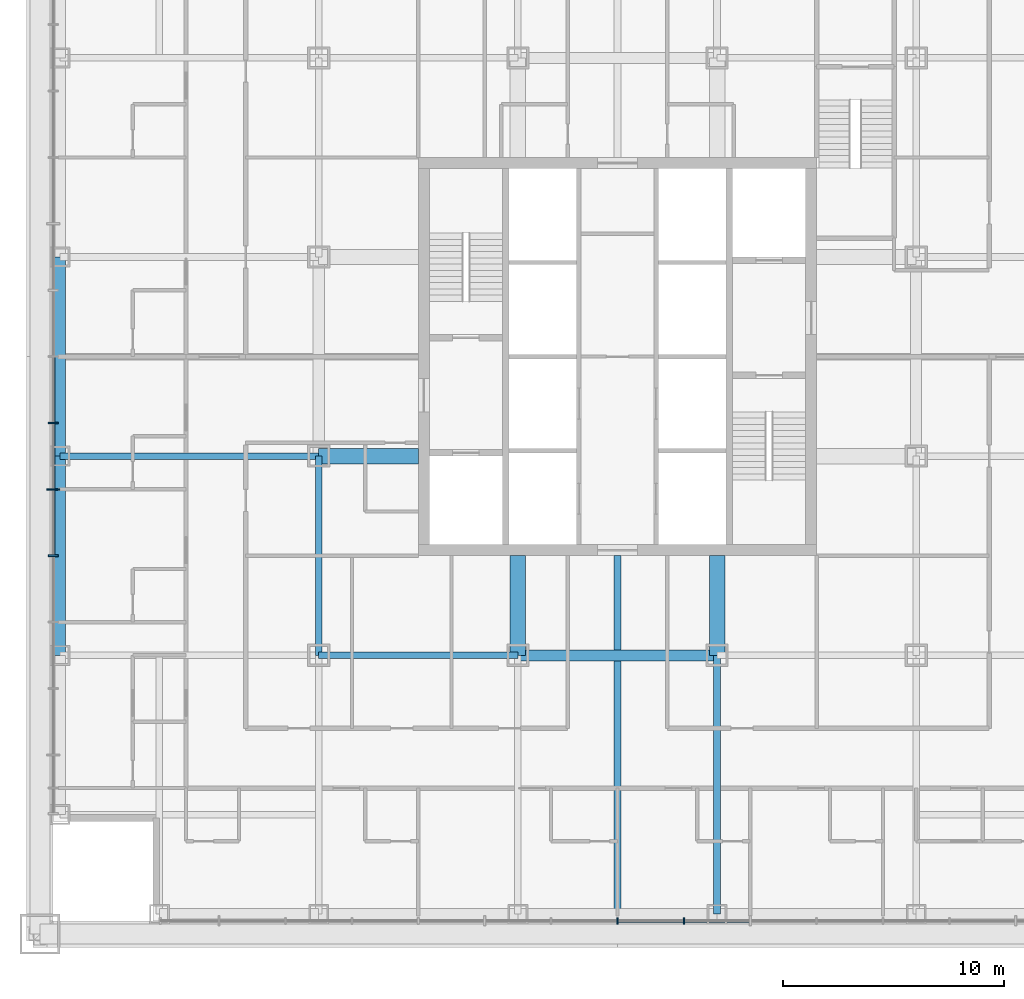
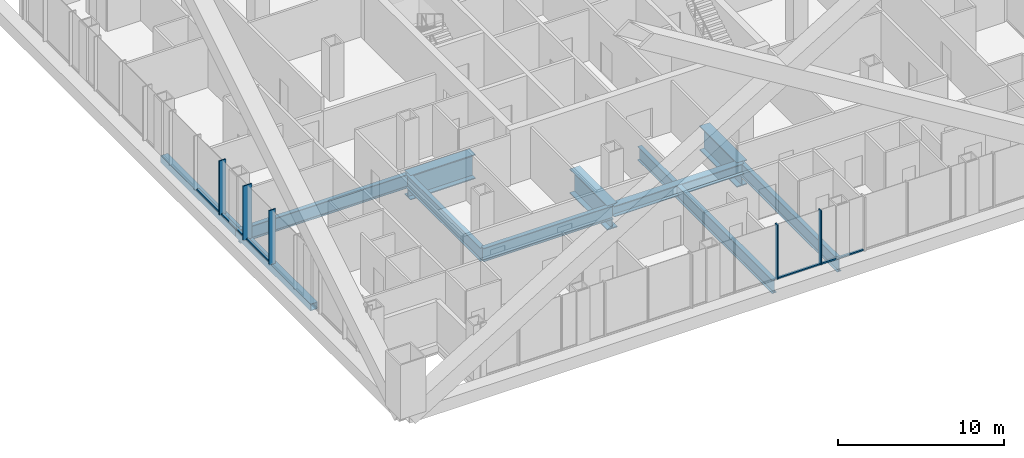
# One storey, part 4 of 21: 11 beams, 10 members, 2 elements without a shape of their own.
"""IFC4 building model written with IfcOpenShell, lengths in metres."""

from ifc_helpers import new_model, si_unit, direction, frame, origin, origin_2d, place, context, subcontext, project, spatial, rectangle, hollow_rectangle, i_section, extrude, material, layer, layer_set, material_profile, profile_set, type_object, element, aggregate, save


model = new_model("IFC4")

# Units and contexts
model_context = context("Model", 3, precision=1e-05, world=origin(), true_north=direction((0.0, 1.0)))
body_context = subcontext(model_context, "Body", "Model", "MODEL_VIEW")
ifc_project = project(units=[si_unit("LENGTHUNIT", "METRE"), si_unit("AREAUNIT", "SQUARE_METRE"), si_unit("VOLUMEUNIT", "CUBIC_METRE"), si_unit("PLANEANGLEUNIT", "RADIAN"), si_unit("MASSUNIT", "GRAM", prefix="KILO")], contexts=[model_context])

# Site, building, storey
site_placement = place(None, origin())
site = spatial("IfcSite", under=ifc_project, at=site_placement, CompositionType="ELEMENT")
building_placement = place(site_placement, origin())
building = spatial("IfcBuilding", under=site, at=building_placement, Name="Malebo Sky Hospital", CompositionType="ELEMENT")
storey_placement = place(building_placement, frame((0.0, 0.0, 31.0)))
storey = spatial("IfcBuildingStorey", under=building, at=storey_placement, Name="L06", CompositionType="ELEMENT", Elevation=31.0)

# Curtain wall, members
ifc_material_1 = material(Name="Anodised aluminium, natural silver", Category="aluminium")
ifc_layer_1 = layer(ifc_material_1, 0.25)
ifc_layer_set_1 = layer_set([ifc_layer_1], Name="WARD CURTAIN WALL EAST AND WEST")
curtain_wall_type_1 = type_object("IfcCurtainWallType", Name="WARD CURTAIN WALL EAST AND WEST", PredefinedType="NOTDEFINED", material=ifc_layer_set_1)
curtain_wall_1_placement = place(storey_placement, origin())
curtain_wall_1 = element("IfcCurtainWall", 1, at=curtain_wall_1_placement, inside=storey, type_object=curtain_wall_type_1, Name="EW curtain wall W", PredefinedType="NOTDEFINED")
ifc_material_profile_1 = material_profile(ifc_material_1, rectangle(XDim=0.14990234375, YDim=0.10009765625, at=origin_2d()), Name="ALUMINIUM TRANSOM 150x100")
ifc_profile_set_1 = profile_set([ifc_material_profile_1], Name="Anodised aluminium, natural silver")
member_type_1 = type_object("IfcMemberType", Name="ALUMINIUM TRANSOM 150x100", PredefinedType="USERDEFINED", material=ifc_profile_set_1)
member_1_placement = place(storey_placement, frame((34.5, 53.03759765625, 0.050048828125), z_axis=(0.0, 1.0, 0.0), x_axis=(-1.0, 0.0, 0.0)))
member_1 = element("IfcMember", 2, at=member_1_placement, type_object=member_type_1, Name="Transom 6", ObjectType="TRANSOM", PredefinedType="USERDEFINED", context=body_context, shape_type="SweptSolid", body=[
    extrude(rectangle(XDim=0.14990234375, YDim=0.10009765625, at=origin_2d()), origin(), (0.0, 0.0, 1.0), 2.9248046875),
])
member_2_placement = place(storey_placement, frame((34.5, 56.03759765625, 0.050048828125), z_axis=(0.0, 1.0, 0.0), x_axis=(-1.0, 0.0, 0.0)))
member_2 = element("IfcMember", 3, at=member_2_placement, type_object=member_type_1, Name="Transom 7", ObjectType="TRANSOM", PredefinedType="USERDEFINED", context=body_context, shape_type="SweptSolid", body=[
    extrude(rectangle(XDim=0.14990234375, YDim=0.10009765625, at=origin_2d()), origin(), (0.0, 0.0, 1.0), 2.9248046875),
])
member_3_placement = place(storey_placement, frame((34.5, 59.03759765625, 0.050048828125), z_axis=(0.0, 1.0, 0.0), x_axis=(-1.0, 0.0, 0.0)))
member_3 = element("IfcMember", 4, at=member_3_placement, type_object=member_type_1, Name="Transom 8", ObjectType="TRANSOM", PredefinedType="USERDEFINED", context=body_context, shape_type="SweptSolid", body=[
    extrude(rectangle(XDim=0.14990234375, YDim=0.10009765625, at=origin_2d()), origin(), (0.0, 0.0, 1.0), 2.9248046875),
])

ifc_layer_2 = layer(ifc_material_1, 0.25)
ifc_layer_set_2 = layer_set([ifc_layer_2], Name="WARD CURTAIN WALL NORTH AND SOUTH")
curtain_wall_type_2 = type_object("IfcCurtainWallType", Name="WARD CURTAIN WALL NORTH AND SOUTH", PredefinedType="NOTDEFINED", material=ifc_layer_set_2)
curtain_wall_2_placement = place(storey_placement, origin())
curtain_wall_2 = element("IfcCurtainWall", 5, at=curtain_wall_2_placement, inside=storey, type_object=curtain_wall_type_2, Name="NS curtain wall S", PredefinedType="NOTDEFINED")
member_4_placement = place(storey_placement, frame((65.96240234375, 36.5, 0.050048828125), z_axis=(-1.0, 0.0, 0.0), x_axis=(0.0, -1.0, 0.0)))
member_4 = element("IfcMember", 6, at=member_4_placement, type_object=member_type_1, Name="Transom 7", ObjectType="TRANSOM", PredefinedType="USERDEFINED", context=body_context, shape_type="SweptSolid", body=[
    extrude(rectangle(XDim=0.14990234375, YDim=0.10009765625, at=origin_2d()), origin(), (0.0, 0.0, 1.0), 2.9248046875),
])
member_5_placement = place(storey_placement, frame((62.96240234375, 36.5, 0.050048828125), z_axis=(-1.0, 0.0, 0.0), x_axis=(0.0, -1.0, 0.0)))
member_5 = element("IfcMember", 7, at=member_5_placement, type_object=member_type_1, Name="Transom 8", ObjectType="TRANSOM", PredefinedType="USERDEFINED", context=body_context, shape_type="SweptSolid", body=[
    extrude(rectangle(XDim=0.14990234375, YDim=0.10009765625, at=origin_2d()), origin(), (0.0, 0.0, 1.0), 2.9248046875),
])
ifc_material_profile_2 = material_profile(ifc_material_1, rectangle(XDim=0.074951171875, YDim=0.300048828125, at=origin_2d()), Name="CW1 ALUMINIUM FIN MULLION 75x300")
ifc_profile_set_2 = profile_set([ifc_material_profile_2], Name="Anodised aluminium, natural silver")
member_type_2 = type_object("IfcMemberType", Name="CW1 ALUMINIUM FIN MULLION 75x300", PredefinedType="MULLION", material=ifc_profile_set_2)
member_6_placement = place(storey_placement, frame((63.0, 36.5, 0.0), z_axis=(0.0, 0.0, 1.0), x_axis=(-1.0, 0.0, 0.0)))
member_6 = element("IfcMember", 8, at=member_6_placement, type_object=member_type_2, Name="Fin mullion 8", PredefinedType="MULLION", context=body_context, shape_type="SweptSolid", body=[
    extrude(rectangle(XDim=0.074951171875, YDim=0.300048828125, at=origin_2d()), origin(), (0.0, 0.0, 1.0), 4.0),
])
member_7_placement = place(storey_placement, frame((60.0, 36.5, 0.0), z_axis=(0.0, 0.0, 1.0), x_axis=(-1.0, 0.0, 0.0)))
member_7 = element("IfcMember", 9, at=member_7_placement, type_object=member_type_2, Name="Fin mullion 9", PredefinedType="MULLION", context=body_context, shape_type="SweptSolid", body=[
    extrude(rectangle(XDim=0.074951171875, YDim=0.300048828125, at=origin_2d()), origin(), (0.0, 0.0, 1.0), 4.0),
])
aggregate(curtain_wall_2, [member_6, member_7, member_4, member_5])

# Member
ifc_material_profile_3 = material_profile(ifc_material_1, rectangle(XDim=0.074951171875, YDim=0.449951171875, at=origin_2d()), Name="CW2 ALUMINIUM FIN MULLION 75x450")
ifc_profile_set_3 = profile_set([ifc_material_profile_3], Name="Anodised aluminium, natural silver")
member_type_3 = type_object("IfcMemberType", Name="CW2 ALUMINIUM FIN MULLION 75x450", PredefinedType="MULLION", material=ifc_profile_set_3)
member_8_placement = place(storey_placement, frame((34.5, 53.0, 0.0), z_axis=(0.0, 0.0, 1.0), x_axis=(0.0, 1.0, 0.0)))
member_8 = element("IfcMember", 10, at=member_8_placement, type_object=member_type_3, Name="Fin mullion 6", PredefinedType="MULLION", context=body_context, shape_type="SweptSolid", body=[
    extrude(rectangle(XDim=0.074951171875, YDim=0.449951171875, at=origin_2d()), origin(), (0.0, 0.0, 1.0), 4.0),
])

member_9_placement = place(storey_placement, frame((34.5, 59.0, 0.0), z_axis=(0.0, 0.0, 1.0), x_axis=(0.0, 1.0, 0.0)))
member_9 = element("IfcMember", 11, at=member_9_placement, type_object=member_type_3, Name="Fin mullion 8", PredefinedType="MULLION", context=body_context, shape_type="SweptSolid", body=[
    extrude(rectangle(XDim=0.074951171875, YDim=0.449951171875, at=origin_2d()), origin(), (0.0, 0.0, 1.0), 4.0),
])

ifc_material_profile_4 = material_profile(ifc_material_1, rectangle(XDim=0.074951171875, YDim=0.60009765625, at=origin_2d()), Name="CW2 ALUMINIUM FIN MULLION 75x600")
ifc_profile_set_4 = profile_set([ifc_material_profile_4], Name="Anodised aluminium, natural silver")
member_type_4 = type_object("IfcMemberType", Name="CW2 ALUMINIUM FIN MULLION 75x600", PredefinedType="MULLION", material=ifc_profile_set_4)
member_10_placement = place(storey_placement, frame((34.5, 56.0, 0.0), z_axis=(0.0, 0.0, 1.0), x_axis=(0.0, 1.0, 0.0)))
member_10 = element("IfcMember", 12, at=member_10_placement, type_object=member_type_4, Name="Fin mullion 7", PredefinedType="MULLION", context=body_context, shape_type="SweptSolid", body=[
    extrude(rectangle(XDim=0.074951171875, YDim=0.60009765625, at=origin_2d()), origin(), (0.0, 0.0, 1.0), 4.0),
])

aggregate(curtain_wall_1, [member_8, member_10, member_9, member_1, member_2, member_3])

# Beams
ifc_material_2 = material(Name="Steel S460", Category="steel")
ifc_material_profile_5 = material_profile(ifc_material_2, hollow_rectangle(XDim=0.5, YDim=0.5, WallThickness=0.030029296875, at=origin_2d()), Name="BOX 500x500x30")
ifc_profile_set_5 = profile_set([ifc_material_profile_5], Name="Steel S460")
beam_type_1 = type_object("IfcBeamType", Name="EDGE BEAM BOX 500x500x30", PredefinedType="BEAM", material=ifc_profile_set_5)
for number, where, z_axis, x_axis, name in (
    (13, (34.800048828125, 48.5, -0.5), (0.0, 1.0, 0.0), (-1.0, 0.0, 0.0), "Beam 001 L06"),
    (14, (34.800048828125, 57.5, -0.5), (0.0, 1.0, 0.0), (-1.0, 0.0, 0.0), "Beam 002 L06"),
):
    element("IfcBeam", number, at=place(storey_placement, frame(where, z_axis=z_axis, x_axis=x_axis)), inside=storey, type_object=beam_type_1, Name=name, PredefinedType="BEAM", context=body_context, shape_type="SweptSolid", body=[
        extrude(hollow_rectangle(XDim=0.5, YDim=0.5, WallThickness=0.030029296875, at=origin_2d()), origin(), (0.0, 0.0, 1.0), 9.0),
    ])
ifc_material_3 = material(Name="Steel S355", Category="steel")
ifc_material_profile_6 = material_profile(ifc_material_3, i_section(OverallWidth=0.300048828125, OverallDepth=1.0, WebThickness=0.01904296875, FlangeThickness=0.035888671875, FilletRadius=0.030029296875, at=origin_2d()), Name="HEB 1000")
ifc_profile_set_6 = profile_set([ifc_material_profile_6], Name="Steel S355")
beam_type_2 = type_object("IfcBeamType", Name="FLOOR BEAM HEB 1000", PredefinedType="BEAM", material=ifc_profile_set_6)
beam_1_placement = place(storey_placement, frame((46.5, 48.5, -0.75), z_axis=(0.0, 1.0, 0.0), x_axis=(-1.0, 0.0, 0.0)))
element("IfcBeam", 15, at=beam_1_placement, inside=storey, type_object=beam_type_2, Name="Beam 008 L06", PredefinedType="BEAM", context=body_context, shape_type="SweptSolid", body=[
    extrude(i_section(OverallWidth=0.300048828125, OverallDepth=1.0, WebThickness=0.01904296875, FlangeThickness=0.035888671875, FilletRadius=0.030029296875, at=origin_2d()), origin(), (0.0, 0.0, 1.0), 9.0),
])
beam_2_placement = place(storey_placement, frame((60.0, 36.800048828125, -0.75), z_axis=(0.0, 1.0, 0.0), x_axis=(-1.0, 0.0, 0.0)))
element("IfcBeam", 16, at=beam_2_placement, inside=storey, type_object=beam_type_2, Name="Beam 016 L06", PredefinedType="BEAM", context=body_context, shape_type="SweptSolid", body=[
    extrude(i_section(OverallWidth=0.300048828125, OverallDepth=1.0, WebThickness=0.01904296875, FlangeThickness=0.035888671875, FilletRadius=0.030029296875, at=origin_2d()), origin(), (0.0, 0.0, 1.0), 16.199951171875),
])
beam_3_placement = place(storey_placement, frame((64.5, 36.800048828125, -0.75), z_axis=(0.0, 1.0, 0.0), x_axis=(-1.0, 0.0, 0.0)))
element("IfcBeam", 17, at=beam_3_placement, inside=storey, type_object=beam_type_2, Name="Beam 018 L06", PredefinedType="BEAM", context=body_context, shape_type="SweptSolid", body=[
    extrude(i_section(OverallWidth=0.300048828125, OverallDepth=1.0, WebThickness=0.01904296875, FlangeThickness=0.035888671875, FilletRadius=0.030029296875, at=origin_2d()), origin(), (0.0, 0.0, 1.0), 11.699951171875),
])
beam_4_placement = place(storey_placement, frame((46.5, 48.5, -0.75), z_axis=(1.0, 0.0, 0.0), x_axis=(0.0, 1.0, 0.0)))
element("IfcBeam", 18, at=beam_4_placement, inside=storey, type_object=beam_type_2, Name="Beam 042 L06", PredefinedType="BEAM", context=body_context, shape_type="SweptSolid", body=[
    extrude(i_section(OverallWidth=0.300048828125, OverallDepth=1.0, WebThickness=0.01904296875, FlangeThickness=0.035888671875, FilletRadius=0.030029296875, at=origin_2d()), origin(), (0.0, 0.0, 1.0), 9.0),
])
beam_5_placement = place(storey_placement, frame((34.800048828125, 57.5, -0.75), z_axis=(1.0, 0.0, 0.0), x_axis=(0.0, 1.0, 0.0)))
element("IfcBeam", 19, at=beam_5_placement, inside=storey, type_object=beam_type_2, Name="Beam 046 L06", PredefinedType="BEAM", context=body_context, shape_type="SweptSolid", body=[
    extrude(i_section(OverallWidth=0.300048828125, OverallDepth=1.0, WebThickness=0.01904296875, FlangeThickness=0.035888671875, FilletRadius=0.030029296875, at=origin_2d()), origin(), (0.0, 0.0, 1.0), 11.699951171875),
])
ifc_material_profile_7 = material_profile(ifc_material_3, i_section(OverallWidth=0.699951171875, OverallDepth=1.800048828125, WebThickness=0.034912109375, FlangeThickness=0.070068359375, at=origin_2d()), Name="PG 1800x700x35x70")
ifc_profile_set_7 = profile_set([ifc_material_profile_7], Name="Steel S355")
beam_type_3 = type_object("IfcBeamType", Name="FLOOR BEAM PG 1800x700x35x70", PredefinedType="BEAM", material=ifc_profile_set_7)
for number, where, z_axis, x_axis, name in (
    (20, (55.5, 48.5, -1.14990234375), (0.0, 1.0, 0.0), (-1.0, 0.0, 0.0), "Beam 013 L06"),
    (21, (64.5, 48.5, -1.14990234375), (0.0, 1.0, 0.0), (-1.0, 0.0, 0.0), "Beam 019 L06"),
    (22, (46.5, 57.5, -1.14990234375), (1.0, 0.0, 0.0), (0.0, 1.0, 0.0), "Beam 047 L06"),
):
    element("IfcBeam", number, at=place(storey_placement, frame(where, z_axis=z_axis, x_axis=x_axis)), inside=storey, type_object=beam_type_3, Name=name, PredefinedType="BEAM", context=body_context, shape_type="SweptSolid", body=[
        extrude(i_section(OverallWidth=0.699951171875, OverallDepth=1.800048828125, WebThickness=0.034912109375, FlangeThickness=0.070068359375, at=origin_2d()), origin(), (0.0, 0.0, 1.0), 4.5),
    ])
ifc_material_profile_8 = material_profile(ifc_material_3, i_section(OverallWidth=0.5, OverallDepth=0.800048828125, WebThickness=0.030029296875, FlangeThickness=0.050048828125, at=origin_2d()), Name="PG 800x500x30x50")
ifc_profile_set_8 = profile_set([ifc_material_profile_8], Name="Steel S355")
beam_type_4 = type_object("IfcBeamType", Name="RING GIRDER PG 800x500x30x50", PredefinedType="BEAM", material=ifc_profile_set_8)
beam_6_placement = place(storey_placement, frame((55.5, 48.5, -0.64990234375), z_axis=(1.0, 0.0, 0.0), x_axis=(0.0, 1.0, 0.0)))
element("IfcBeam", 23, at=beam_6_placement, inside=storey, type_object=beam_type_4, Name="Beam 043 L06", PredefinedType="BEAM", context=body_context, shape_type="SweptSolid", body=[
    extrude(i_section(OverallWidth=0.5, OverallDepth=0.800048828125, WebThickness=0.030029296875, FlangeThickness=0.050048828125, at=origin_2d()), origin(), (0.0, 0.0, 1.0), 9.0),
])

save(model, "model.ifc")
